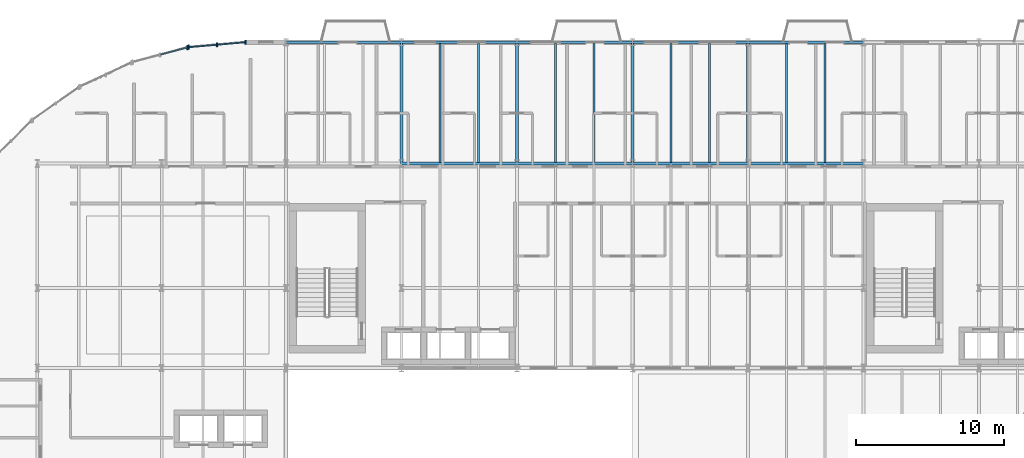
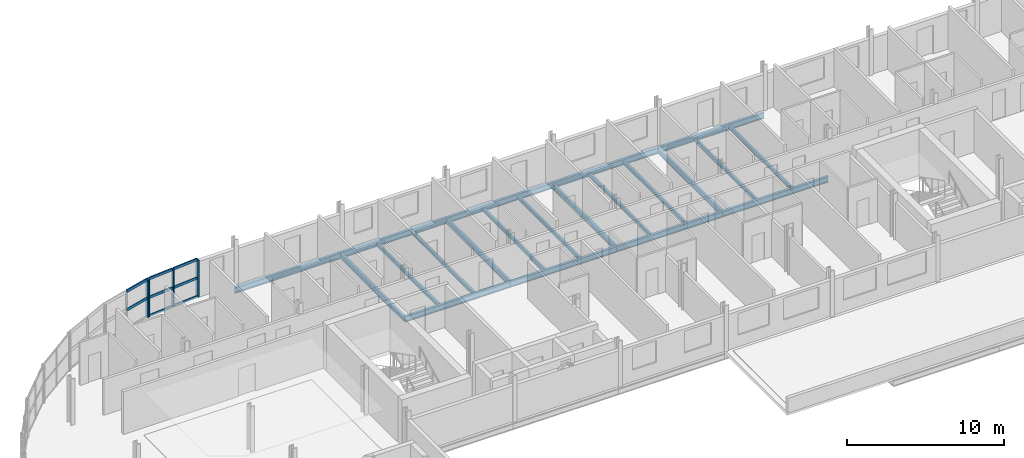
# One storey, part 12 of 36: 21 beams, 12 members, 2 elements without a shape of their own.
"""IFC4 building model written with IfcOpenShell, lengths in metres."""

from ifc_helpers import new_model, si_unit, direction, frame, origin, origin_2d, place, context, subcontext, project, spatial, rectangle, i_section, extrude, material, layer, layer_set, material_profile, profile_set, type_object, element, aggregate, save


model = new_model("IFC4")

# Units and contexts
model_context = context("Model", 3, precision=1e-05, world=origin(), true_north=direction((0.0, 1.0)))
body_context = subcontext(model_context, "Body", "Model", "MODEL_VIEW")
ifc_project = project(units=[si_unit("LENGTHUNIT", "METRE"), si_unit("AREAUNIT", "SQUARE_METRE"), si_unit("VOLUMEUNIT", "CUBIC_METRE"), si_unit("PLANEANGLEUNIT", "RADIAN"), si_unit("MASSUNIT", "GRAM", prefix="KILO")], contexts=[model_context])

# Site, building, storey
site_placement = place(None, origin())
site = spatial("IfcSite", under=ifc_project, at=site_placement, CompositionType="ELEMENT")
building_placement = place(site_placement, origin())
building = spatial("IfcBuilding", under=site, at=building_placement, Name="Sefraquen Railside Congress Hotel", CompositionType="ELEMENT")
storey_placement = place(building_placement, frame((0.0, 0.0, 24.60009765625)))
storey = spatial("IfcBuildingStorey", under=building, at=storey_placement, Name="L05", CompositionType="ELEMENT", Elevation=24.60009765625)

# Beams
ifc_material_1 = material(Name="Steel S355JR", Category="steel")
ifc_material_profile_1 = material_profile(ifc_material_1, i_section(OverallWidth=0.179931640625, OverallDepth=0.39990234375, WebThickness=0.008544921875, FlangeThickness=0.013427734375, FilletRadius=0.02099609375, at=origin_2d()), Name="IPE 400")
ifc_profile_set_1 = profile_set([ifc_material_profile_1], Name="Steel S355JR")
beam_type_1 = type_object("IfcBeamType", Name="TB-BM-400I", PredefinedType="BEAM", material=ifc_profile_set_1)
for number, where, z_axis, x_axis, name in (
    (1, (33.0, 109.800048828125, -0.460205078125), (0.0, 1.0, 0.0), (-1.0, 0.0, 0.0), "Floor beam BM-L05-1528"),
    (2, (40.800048828125, 109.800048828125, -0.460205078125), (0.0, 1.0, 0.0), (-1.0, 0.0, 0.0), "Floor beam BM-L05-1531"),
    (3, (48.60009765625, 109.800048828125, -0.460205078125), (0.0, 1.0, 0.0), (-1.0, 0.0, 0.0), "Floor beam BM-L05-1534"),
    (4, (56.39990234375, 109.800048828125, -0.460205078125), (0.0, 1.0, 0.0), (-1.0, 0.0, 0.0), "Floor beam BM-L05-1538"),
):
    element("IfcBeam", number, at=place(storey_placement, frame(where, z_axis=z_axis, x_axis=x_axis)), inside=storey, type_object=beam_type_1, Name=name, PredefinedType="BEAM", context=body_context, shape_type="SweptSolid", body=[
        extrude(i_section(OverallWidth=0.179931640625, OverallDepth=0.39990234375, WebThickness=0.008544921875, FlangeThickness=0.013427734375, FilletRadius=0.02099609375, at=origin_2d()), origin(), (0.0, 0.0, 1.0), 8.199951171875),
    ])
ifc_material_profile_2 = material_profile(ifc_material_1, i_section(OverallWidth=0.18994140625, OverallDepth=0.449951171875, WebThickness=0.009521484375, FlangeThickness=0.0146484375, FilletRadius=0.02099609375, at=origin_2d()), Name="IPE 450")
ifc_profile_set_2 = profile_set([ifc_material_profile_2], Name="Steel S355JR")
beam_type_2 = type_object("IfcBeamType", Name="TB-BM-450", PredefinedType="BEAM", material=ifc_profile_set_2)
for number, where, z_axis, x_axis, name in (
    (5, (33.0, 109.800048828125, -0.485107421875), (1.0, 0.0, 0.0), (0.0, 1.0, 0.0), "Primary girder BM-L05-1481"),
    (6, (40.800048828125, 109.800048828125, -0.485107421875), (1.0, 0.0, 0.0), (0.0, 1.0, 0.0), "Primary girder BM-L05-1482"),
):
    element("IfcBeam", number, at=place(storey_placement, frame(where, z_axis=z_axis, x_axis=x_axis)), inside=storey, type_object=beam_type_2, Name=name, PredefinedType="BEAM", context=body_context, shape_type="SweptSolid", body=[
        extrude(i_section(OverallWidth=0.18994140625, OverallDepth=0.449951171875, WebThickness=0.009521484375, FlangeThickness=0.0146484375, FilletRadius=0.02099609375, at=origin_2d()), origin(), (0.0, 0.0, 1.0), 7.800048828125),
    ])
beam_1_placement = place(storey_placement, frame((48.60009765625, 109.800048828125, -0.485107421875), z_axis=(1.0, 0.0, 0.0), x_axis=(0.0, 1.0, 0.0)))
element("IfcBeam", 7, at=beam_1_placement, inside=storey, type_object=beam_type_2, Name="Primary girder BM-L05-1483", PredefinedType="BEAM", context=body_context, shape_type="SweptSolid", body=[
    extrude(i_section(OverallWidth=0.18994140625, OverallDepth=0.449951171875, WebThickness=0.009521484375, FlangeThickness=0.0146484375, FilletRadius=0.02099609375, at=origin_2d()), origin(), (0.0, 0.0, 1.0), 7.7998046875),
])
for number, where, z_axis, x_axis, name in (
    (8, (56.39990234375, 109.800048828125, -0.485107421875), (1.0, 0.0, 0.0), (0.0, 1.0, 0.0), "Primary girder BM-L05-1484"),
    (9, (25.199951171875, 118.0, -0.485107421875), (1.0, 0.0, 0.0), (0.0, 1.0, 0.0), "Primary girder BM-L05-1492"),
    (10, (33.0, 118.0, -0.485107421875), (1.0, 0.0, 0.0), (0.0, 1.0, 0.0), "Primary girder BM-L05-1493"),
    (11, (40.800048828125, 118.0, -0.485107421875), (1.0, 0.0, 0.0), (0.0, 1.0, 0.0), "Primary girder BM-L05-1494"),
):
    element("IfcBeam", number, at=place(storey_placement, frame(where, z_axis=z_axis, x_axis=x_axis)), inside=storey, type_object=beam_type_2, Name=name, PredefinedType="BEAM", context=body_context, shape_type="SweptSolid", body=[
        extrude(i_section(OverallWidth=0.18994140625, OverallDepth=0.449951171875, WebThickness=0.009521484375, FlangeThickness=0.0146484375, FilletRadius=0.02099609375, at=origin_2d()), origin(), (0.0, 0.0, 1.0), 7.800048828125),
    ])
beam_2_placement = place(storey_placement, frame((48.60009765625, 118.0, -0.485107421875), z_axis=(1.0, 0.0, 0.0), x_axis=(0.0, 1.0, 0.0)))
element("IfcBeam", 12, at=beam_2_placement, inside=storey, type_object=beam_type_2, Name="Primary girder BM-L05-1495", PredefinedType="BEAM", context=body_context, shape_type="SweptSolid", body=[
    extrude(i_section(OverallWidth=0.18994140625, OverallDepth=0.449951171875, WebThickness=0.009521484375, FlangeThickness=0.0146484375, FilletRadius=0.02099609375, at=origin_2d()), origin(), (0.0, 0.0, 1.0), 7.7998046875),
])
beam_3_placement = place(storey_placement, frame((56.39990234375, 118.0, -0.485107421875), z_axis=(1.0, 0.0, 0.0), x_axis=(0.0, 1.0, 0.0)))
element("IfcBeam", 13, at=beam_3_placement, inside=storey, type_object=beam_type_2, Name="Primary girder BM-L05-1496", PredefinedType="BEAM", context=body_context, shape_type="SweptSolid", body=[
    extrude(i_section(OverallWidth=0.18994140625, OverallDepth=0.449951171875, WebThickness=0.009521484375, FlangeThickness=0.0146484375, FilletRadius=0.02099609375, at=origin_2d()), origin(), (0.0, 0.0, 1.0), 7.800048828125),
])
ifc_material_profile_3 = material_profile(ifc_material_1, i_section(OverallWidth=0.14990234375, OverallDepth=0.300048828125, WebThickness=0.007080078125, FlangeThickness=0.0107421875, FilletRadius=0.014892578125, at=origin_2d()), Name="IPE 300")
ifc_profile_set_3 = profile_set([ifc_material_profile_3], Name="Steel S355JR")
beam_type_3 = type_object("IfcBeamType", Name="TB-JST-300", PredefinedType="JOIST", material=ifc_profile_set_3)
for number, where, z_axis, x_axis, name in (
    (14, (35.60009765625, 109.875, -0.41015625), (0.0, 1.0, 0.0), (-1.0, 0.0, 0.0), "Composite floor joist BM-L05-J0970"),
    (15, (38.199951171875, 109.875, -0.41015625), (0.0, 1.0, 0.0), (-1.0, 0.0, 0.0), "Composite floor joist BM-L05-J0971"),
    (16, (43.39990234375, 109.875, -0.41015625), (0.0, 1.0, 0.0), (-1.0, 0.0, 0.0), "Composite floor joist BM-L05-J0976"),
    (17, (46.0, 109.875, -0.41015625), (0.0, 1.0, 0.0), (-1.0, 0.0, 0.0), "Composite floor joist BM-L05-J0977"),
    (18, (51.199951171875, 109.875, -0.41015625), (0.0, 1.0, 0.0), (-1.0, 0.0, 0.0), "Composite floor joist BM-L05-J0982"),
    (19, (53.800048828125, 109.875, -0.41015625), (0.0, 1.0, 0.0), (-1.0, 0.0, 0.0), "Composite floor joist BM-L05-J0983"),
    (20, (59.0, 109.875, -0.41015625), (0.0, 1.0, 0.0), (-1.0, 0.0, 0.0), "Composite floor joist BM-L05-J0990"),
    (21, (61.60009765625, 109.875, -0.41015625), (0.0, 1.0, 0.0), (-1.0, 0.0, 0.0), "Composite floor joist BM-L05-J0991"),
):
    element("IfcBeam", number, at=place(storey_placement, frame(where, z_axis=z_axis, x_axis=x_axis)), inside=storey, type_object=beam_type_3, Name=name, PredefinedType="JOIST", context=body_context, shape_type="SweptSolid", body=[
        extrude(i_section(OverallWidth=0.14990234375, OverallDepth=0.300048828125, WebThickness=0.007080078125, FlangeThickness=0.0107421875, FilletRadius=0.014892578125, at=origin_2d()), origin(), (0.0, 0.0, 1.0), 8.050048828125),
    ])

# Curtain wall, members
ifc_material_2 = material(Name="Thermally broken anodised aluminium and low-E double glazing", Category="aluminium")
ifc_layer_1 = layer(ifc_material_2, 0.199951171875)
ifc_layer_set_1 = layer_set([ifc_layer_1], Name="Thermally broken anodised aluminium and low-E double glazing")
curtain_wall_type_1 = type_object("IfcCurtainWallType", Name="TCW-UCW-14", PredefinedType="USERDEFINED", material=ifc_layer_set_1)
curtain_wall_1_placement = place(storey_placement, origin())
curtain_wall_1 = element("IfcCurtainWall", 22, at=curtain_wall_1_placement, inside=storey, type_object=curtain_wall_type_1, Name="Rotunda L05 curved curtain wall facet 1", ObjectType="UNITISED CURTAIN WALL", PredefinedType="USERDEFINED")
ifc_material_3 = material(Name="Thermally broken anodised aluminium 6063-T6", Category="aluminium")
ifc_material_profile_4 = material_profile(ifc_material_3, rectangle(XDim=0.080078125, YDim=0.239990234375, at=origin_2d()), Name="CWM 80x240")
ifc_profile_set_4 = profile_set([ifc_material_profile_4], Name="Thermally broken anodised aluminium 6063-T6")
member_type_1 = type_object("IfcMemberType", Name="TM-CWM-05", PredefinedType="MULLION", material=ifc_profile_set_4)
member_1_placement = place(storey_placement, frame((20.54638671875, 117.8291015625, 0.0), z_axis=(0.0, 0.0, 1.0), x_axis=(1.0, 0.0, 0.0)))
member_1 = element("IfcMember", 23, at=member_1_placement, type_object=member_type_1, Name="CW-L05-ROT-01 mullion 2", PredefinedType="MULLION", context=body_context, shape_type="SweptSolid", body=[
    extrude(rectangle(XDim=0.080078125, YDim=0.239990234375, at=origin_2d()), origin(), (0.0, 0.0, 1.0), 2.889892578125),
])
ifc_material_profile_5 = material_profile(ifc_material_3, rectangle(XDim=0.094970703125, YDim=0.300048828125, at=origin_2d()), Name="CWM 95x300")
ifc_profile_set_5 = profile_set([ifc_material_profile_5], Name="Thermally broken anodised aluminium 6063-T6")
member_type_2 = type_object("IfcMemberType", Name="TM-CWM-08", PredefinedType="MULLION", material=ifc_profile_set_5)
member_2_placement = place(storey_placement, frame((22.460205078125, 117.99658203125, 0.0), z_axis=(0.0, 0.0, 1.0), x_axis=(1.0, 0.0, 0.0)))
member_2 = element("IfcMember", 24, at=member_2_placement, type_object=member_type_2, Name="CW-L05-ROT-01 mullion 1", PredefinedType="MULLION", context=body_context, shape_type="SweptSolid", body=[
    extrude(rectangle(XDim=0.094970703125, YDim=0.300048828125, at=origin_2d()), origin(), (0.0, 0.0, 1.0), 2.889892578125),
])
member_3_placement = place(storey_placement, frame((18.6328125, 117.66162109375, 0.0), z_axis=(0.0, 0.0, 1.0), x_axis=(1.0, 0.0, 0.0)))
member_3 = element("IfcMember", 25, at=member_3_placement, type_object=member_type_2, Name="CW-L05-ROT-01 mullion 3", PredefinedType="MULLION", context=body_context, shape_type="SweptSolid", body=[
    extrude(rectangle(XDim=0.094970703125, YDim=0.300048828125, at=origin_2d()), origin(), (0.0, 0.0, 1.0), 2.889892578125),
])

# Curtain wall, member
ifc_layer_2 = layer(ifc_material_2, 0.199951171875)
ifc_layer_set_2 = layer_set([ifc_layer_2], Name="Thermally broken anodised aluminium and low-E double glazing")
curtain_wall_type_2 = type_object("IfcCurtainWallType", Name="TCW-UCW-15", PredefinedType="USERDEFINED", material=ifc_layer_set_2)
curtain_wall_2_placement = place(storey_placement, origin())
curtain_wall_2 = element("IfcCurtainWall", 26, at=curtain_wall_2_placement, inside=storey, type_object=curtain_wall_type_2, Name="Rotunda L05 curved curtain wall facet 2", ObjectType="UNITISED CURTAIN WALL", PredefinedType="USERDEFINED")
member_4_placement = place(storey_placement, frame((18.55419921875, 117.647705078125, 0.0), z_axis=(0.0, 0.0, 1.0), x_axis=(1.0, 0.0, 0.0)))
member_4 = element("IfcMember", 27, at=member_4_placement, type_object=member_type_2, Name="CW-L05-ROT-02 mullion 1", PredefinedType="MULLION", context=body_context, shape_type="SweptSolid", body=[
    extrude(rectangle(XDim=0.094970703125, YDim=0.300048828125, at=origin_2d()), origin(), (0.0, 0.0, 1.0), 2.889892578125),
])

# Member
ifc_material_profile_6 = material_profile(ifc_material_3, rectangle(XDim=0.0849609375, YDim=0.195068359375, at=origin_2d()), Name="CWT 85x195")
ifc_profile_set_6 = profile_set([ifc_material_profile_6], Name="Thermally broken anodised aluminium 6063-T6")
member_type_3 = type_object("IfcMemberType", Name="TM-CWT-06", PredefinedType="USERDEFINED", material=ifc_profile_set_6)
member_5_placement = place(storey_placement, frame((22.415283203125, 117.99267578125, 0.0), z_axis=(-0.996190387898, -0.08720499447, 0.0), x_axis=(0.08720499447, -0.996190387898, 0.0)))
member_5 = element("IfcMember", 28, at=member_5_placement, type_object=member_type_3, Name="CW-L05-ROT-01 transom 1.1", ObjectType="TRANSOM", PredefinedType="USERDEFINED", context=body_context, shape_type="SweptSolid", body=[
    extrude(rectangle(XDim=0.0849609375, YDim=0.195068359375, at=origin_2d()), origin(), (0.0, 0.0, 1.0), 1.8310546875),
])

member_6_placement = place(storey_placement, frame((20.501708984375, 117.8251953125, 0.0), z_axis=(-0.996191401715, -0.087193412302, 0.0), x_axis=(0.087193412302, -0.996191401715, 0.0)))
member_6 = element("IfcMember", 29, at=member_6_placement, type_object=member_type_3, Name="CW-L05-ROT-01 transom 1.2", ObjectType="TRANSOM", PredefinedType="USERDEFINED", context=body_context, shape_type="SweptSolid", body=[
    extrude(rectangle(XDim=0.0849609375, YDim=0.195068359375, at=origin_2d()), origin(), (0.0, 0.0, 1.0), 1.831298828125),
])

member_7_placement = place(storey_placement, frame((22.415283203125, 117.99267578125, 1.44482421875), z_axis=(-0.996190387898, -0.08720499447, 0.0), x_axis=(0.08720499447, -0.996190387898, 0.0)))
member_7 = element("IfcMember", 30, at=member_7_placement, type_object=member_type_3, Name="CW-L05-ROT-01 transom 2.1", ObjectType="TRANSOM", PredefinedType="USERDEFINED", context=body_context, shape_type="SweptSolid", body=[
    extrude(rectangle(XDim=0.0849609375, YDim=0.195068359375, at=origin_2d()), origin(), (0.0, 0.0, 1.0), 1.8310546875),
])

member_8_placement = place(storey_placement, frame((20.501708984375, 117.8251953125, 1.44482421875), z_axis=(-0.996191401715, -0.087193412302, 0.0), x_axis=(0.087193412302, -0.996191401715, 0.0)))
member_8 = element("IfcMember", 31, at=member_8_placement, type_object=member_type_3, Name="CW-L05-ROT-01 transom 2.2", ObjectType="TRANSOM", PredefinedType="USERDEFINED", context=body_context, shape_type="SweptSolid", body=[
    extrude(rectangle(XDim=0.0849609375, YDim=0.195068359375, at=origin_2d()), origin(), (0.0, 0.0, 1.0), 1.831298828125),
])

member_9_placement = place(storey_placement, frame((22.415283203125, 117.99267578125, 2.889892578125), z_axis=(-0.996190387898, -0.08720499447, 0.0), x_axis=(0.08720499447, -0.996190387898, 0.0)))
member_9 = element("IfcMember", 32, at=member_9_placement, type_object=member_type_3, Name="CW-L05-ROT-01 transom 3.1", ObjectType="TRANSOM", PredefinedType="USERDEFINED", context=body_context, shape_type="SweptSolid", body=[
    extrude(rectangle(XDim=0.0849609375, YDim=0.195068359375, at=origin_2d()), origin(), (0.0, 0.0, 1.0), 1.8310546875),
])

member_10_placement = place(storey_placement, frame((20.501708984375, 117.8251953125, 2.889892578125), z_axis=(-0.996191401715, -0.087193412302, 0.0), x_axis=(0.087193412302, -0.996191401715, 0.0)))
member_10 = element("IfcMember", 33, at=member_10_placement, type_object=member_type_3, Name="CW-L05-ROT-01 transom 3.2", ObjectType="TRANSOM", PredefinedType="USERDEFINED", context=body_context, shape_type="SweptSolid", body=[
    extrude(rectangle(XDim=0.0849609375, YDim=0.195068359375, at=origin_2d()), origin(), (0.0, 0.0, 1.0), 1.831298828125),
])

aggregate(curtain_wall_1, [member_2, member_1, member_3, member_5, member_6, member_7, member_8, member_9, member_10])

ifc_material_profile_7 = material_profile(ifc_material_3, rectangle(XDim=0.090087890625, YDim=0.2099609375, at=origin_2d()), Name="CWT 90x210")
ifc_profile_set_7 = profile_set([ifc_material_profile_7], Name="Thermally broken anodised aluminium 6063-T6")
member_type_4 = type_object("IfcMemberType", Name="TM-CWT-07", PredefinedType="USERDEFINED", material=ifc_profile_set_7)
member_11_placement = place(storey_placement, frame((18.5107421875, 117.63623046875, 1.44482421875), z_axis=(-0.965893282759, -0.25894046868, 0.0), x_axis=(0.25894046868, -0.965893282759, 0.0)))
member_11 = element("IfcMember", 34, at=member_11_placement, type_object=member_type_4, Name="CW-L05-ROT-02 transom 2.1", ObjectType="TRANSOM", PredefinedType="USERDEFINED", context=body_context, shape_type="SweptSolid", body=[
    extrude(rectangle(XDim=0.090087890625, YDim=0.2099609375, at=origin_2d()), origin(), (0.0, 0.0, 1.0), 1.8310546875),
])

member_12_placement = place(storey_placement, frame((18.5107421875, 117.63623046875, 2.889892578125), z_axis=(-0.965893282759, -0.25894046868, 0.0), x_axis=(0.25894046868, -0.965893282759, 0.0)))
member_12 = element("IfcMember", 35, at=member_12_placement, type_object=member_type_4, Name="CW-L05-ROT-02 transom 3.1", ObjectType="TRANSOM", PredefinedType="USERDEFINED", context=body_context, shape_type="SweptSolid", body=[
    extrude(rectangle(XDim=0.090087890625, YDim=0.2099609375, at=origin_2d()), origin(), (0.0, 0.0, 1.0), 1.8310546875),
])

aggregate(curtain_wall_2, [member_4, member_11, member_12])

save(model, "model.ifc")
